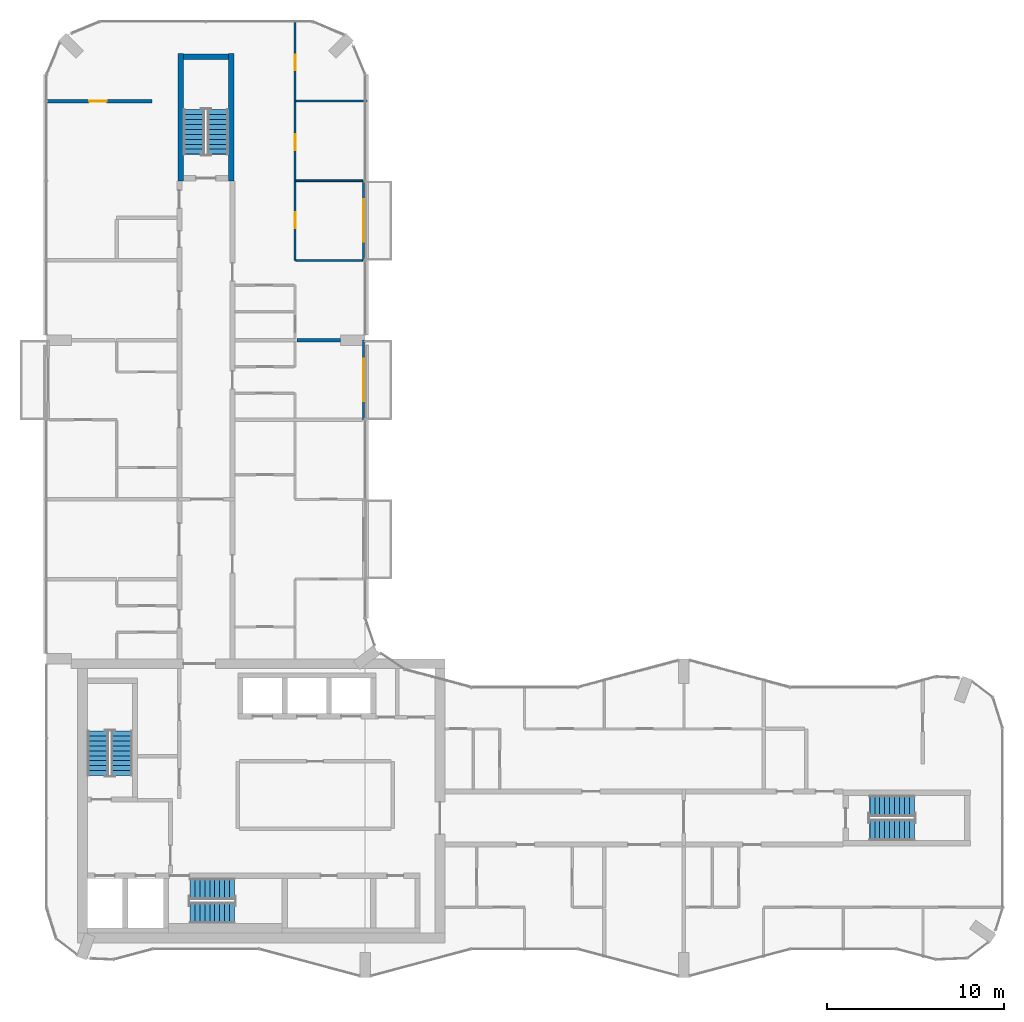
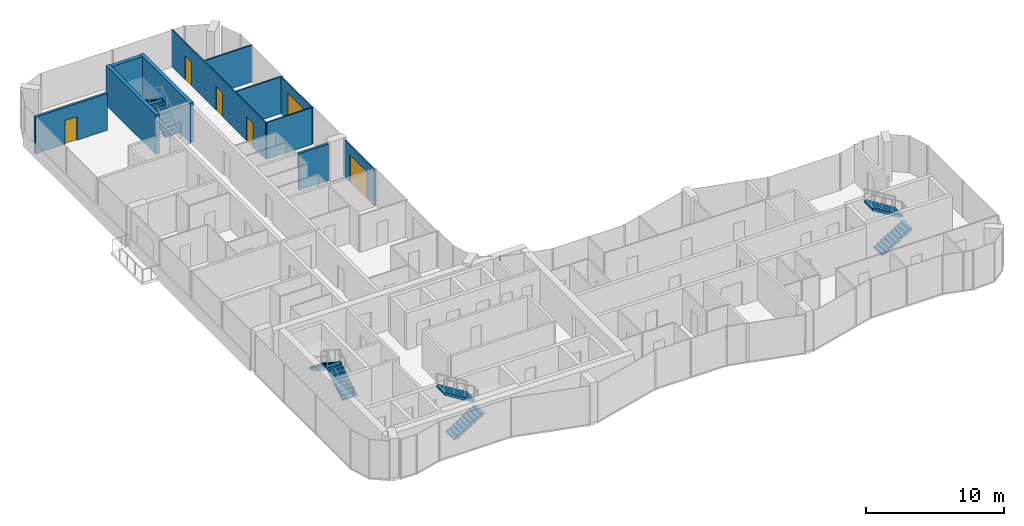
# One storey, part 13 of 15: 11 walls, 8 stair flights, 6 doors, 6 openings, 4 elements without a shape of their own.
"""IFC4 building model written with IfcOpenShell, lengths in metres."""

from ifc_helpers import new_model, si_unit, direction, frame, frame_2d, origin, place, context, subcontext, project, spatial, polyline, rectangle, outline, extrude, material, layer, layer_set, type_object, element, fill, aggregate, save


model = new_model("IFC4")

# Units and contexts
model_context = context("Model", 3, precision=1e-05, world=origin(), true_north=direction((0.0, 1.0)))
body_context = subcontext(model_context, "Body", "Model", "MODEL_VIEW")
ifc_project = project(units=[si_unit("LENGTHUNIT", "METRE"), si_unit("AREAUNIT", "SQUARE_METRE"), si_unit("VOLUMEUNIT", "CUBIC_METRE"), si_unit("PLANEANGLEUNIT", "RADIAN"), si_unit("MASSUNIT", "GRAM", prefix="KILO")], contexts=[model_context])

# Site, building, storey
site_placement = place(None, origin())
site = spatial("IfcSite", under=ifc_project, at=site_placement, CompositionType="ELEMENT")
building_placement = place(site_placement, origin())
building = spatial("IfcBuilding", under=site, at=building_placement, Name="Plateau Cross Towers", CompositionType="ELEMENT")
storey_placement = place(building_placement, frame((0.0, 0.0, 208.39990234375)))
storey = spatial("IfcBuildingStorey", under=building, at=storey_placement, Name="L54", CompositionType="ELEMENT", Elevation=208.39990234375)

# Wall, opening, door
ifc_material_1 = material(Name="Aluminium framed glazing", Category="aluminium")
ifc_layer_1 = layer(ifc_material_1, 0.10009765625)
ifc_layer_set_1 = layer_set([ifc_layer_1], Name="Aluminium framed glazing")
wall_type_1 = type_object("IfcWallType", Name="Balcony screen wall 100", PredefinedType="STANDARD", material=ifc_layer_set_1)
wall_1_placement = place(storey_placement, frame((17.89990234375, 36.0, 0.0), z_axis=(0.0, 0.0, 1.0), x_axis=(0.0, -1.0, 0.0)))
wall_1 = element("IfcWall", 1, at=wall_1_placement, inside=storey, type_object=wall_type_1, Name="Balcony screen wall A-BAL-L54-03", PredefinedType="STANDARD", context=body_context, shape_type="SweptSolid", body=[
    extrude(rectangle(XDim=4.5, YDim=0.10009765625, at=frame_2d((2.25, 0.0))), origin(), (0.0, 0.0, 1.0), 3.25),
])
opening_1_placement = place(wall_1_placement, frame((1.050048828125, 0.0, 0.0)))
opening_1 = element("IfcOpeningElement", 2, at=opening_1_placement, cuts=wall_1, Name="Opening D-B24", PredefinedType="OPENING", context=body_context, shape_type="SweptSolid", body=[
    extrude(rectangle(XDim=2.39990234375, YDim=2.39990234375, at=frame_2d((1.199951171875, 1.199951171875))), frame((0.0, 0.06005859375, 0.0), z_axis=(0.0, -1.0, 0.0), x_axis=(1.0, 0.0, 0.0)), (0.0, 0.0, 1.0), 0.1201171875),
])
ifc_material_2 = material(Name="Aluminium frame, double glazing", Category="aluminium")
door_type_1 = type_object("IfcDoorType", Name="Balcony sliding door 2400", OperationType="NOTDEFINED", PredefinedType="DOOR", material=ifc_material_2)
door_1_placement = place(opening_1_placement, origin())
door_1 = element("IfcDoor", 3, at=door_1_placement, inside=storey, type_object=door_type_1, Name="Balcony door A-BAL-L54-03", OperationType="SINGLE_SWING_LEFT", OverallHeight=2.39990234375, OverallWidth=2.39990234375, PredefinedType="DOOR", context=body_context, shape_type="SweptSolid", body=[
    extrude(rectangle(XDim=2.39990234375, YDim=2.39990234375, at=frame_2d((1.199951171875, 1.199951171875))), frame((0.0, 0.02490234375, 0.0), z_axis=(0.0, -1.0, 0.0), x_axis=(1.0, 0.0, 0.0)), (0.0, 0.0, 1.0), 0.050048828125),
])
fill(opening_1, door_1)

wall_2_placement = place(storey_placement, frame((17.89990234375, 45.0, 0.0), z_axis=(0.0, 0.0, 1.0), x_axis=(0.0, -1.0, 0.0)))
wall_2 = element("IfcWall", 4, at=wall_2_placement, inside=storey, type_object=wall_type_1, Name="Balcony screen wall A-BAL-L54-04", PredefinedType="STANDARD", context=body_context, shape_type="SweptSolid", body=[
    extrude(rectangle(XDim=4.5, YDim=0.10009765625, at=frame_2d((2.25, 0.0))), origin(), (0.0, 0.0, 1.0), 3.25),
])
opening_2_placement = place(wall_2_placement, frame((1.050048828125, 0.0, 0.0)))
opening_2 = element("IfcOpeningElement", 5, at=opening_2_placement, cuts=wall_2, Name="Opening D-B24", PredefinedType="OPENING", context=body_context, shape_type="SweptSolid", body=[
    extrude(rectangle(XDim=2.39990234375, YDim=2.39990234375, at=frame_2d((1.199951171875, 1.199951171875))), frame((0.0, 0.06005859375, 0.0), z_axis=(0.0, -1.0, 0.0), x_axis=(1.0, 0.0, 0.0)), (0.0, 0.0, 1.0), 0.1201171875),
])
door_2_placement = place(opening_2_placement, origin())
door_2 = element("IfcDoor", 6, at=door_2_placement, inside=storey, type_object=door_type_1, Name="Balcony door A-BAL-L54-04", OperationType="SINGLE_SWING_LEFT", OverallHeight=2.39990234375, OverallWidth=2.39990234375, PredefinedType="DOOR", context=body_context, shape_type="SweptSolid", body=[
    extrude(rectangle(XDim=2.39990234375, YDim=2.39990234375, at=frame_2d((1.199951171875, 1.199951171875))), frame((0.0, 0.02490234375, 0.0), z_axis=(0.0, -1.0, 0.0), x_axis=(1.0, 0.0, 0.0)), (0.0, 0.0, 1.0), 0.050048828125),
])
fill(opening_2, door_2)

# Walls
ifc_material_3 = material(Name="Gypsum board on steel studs", Category="steel")
ifc_layer_2 = layer(ifc_material_3, 0.10009765625)
ifc_layer_set_2 = layer_set([ifc_layer_2], Name="Gypsum board on steel studs")
wall_type_2 = type_object("IfcWallType", Name="Flat partition 100", PredefinedType="PARTITIONING", material=ifc_layer_set_2)
for number, where, z_axis, x_axis, name in (
    (7, (14.08740234375, 40.5, 0.0), (0.0, 0.0, 1.0), (1.0, 0.0, 0.0), "Partition wall"),
    (8, (17.85009765625, 45.0, 0.0), (0.0, 0.0, 1.0), (-1.0, 0.0, 0.0), "Partition wall"),
):
    element("IfcWall", number, at=place(storey_placement, frame(where, z_axis=z_axis, x_axis=x_axis)), inside=storey, type_object=wall_type_2, Name=name, PredefinedType="PARTITIONING", context=body_context, shape_type="SweptSolid", body=[
        extrude(rectangle(XDim=3.7626953125, YDim=0.10009765625, at=frame_2d((1.88134765625, 0.0))), origin(), (0.0, 0.0, 1.0), 3.25),
    ])
wall_3_placement = place(storey_placement, frame((18.080078125, 49.5, 0.0), z_axis=(0.0, 0.0, 1.0), x_axis=(-1.0, 0.0, 0.0)))
element("IfcWall", 9, at=wall_3_placement, inside=storey, type_object=wall_type_2, Name="Partition wall", PredefinedType="PARTITIONING", context=body_context, shape_type="SweptSolid", body=[
    extrude(rectangle(XDim=3.99267578125, YDim=0.10009765625, at=frame_2d((1.996337890625, 0.0))), origin(), (0.0, 0.0, 1.0), 3.25),
])

# Wall, openings, doors
wall_4_placement = place(storey_placement, frame((14.03759765625, 54.080078125, 0.0), z_axis=(0.0, 0.0, 1.0), x_axis=(0.0, -1.0, 0.0)))
wall_4 = element("IfcWall", 10, at=wall_4_placement, inside=storey, type_object=wall_type_2, Name="Partition wall", PredefinedType="PARTITIONING", context=body_context, shape_type="SweptSolid", body=[
    extrude(rectangle(XDim=13.580078125, YDim=0.10009765625, at=frame_2d((6.7900390625, 0.0))), origin(), (0.0, 0.0, 1.0), 3.25),
])
opening_3_placement = place(wall_4_placement, frame((10.85009765625, 0.0, 0.0)))
opening_3 = element("IfcOpeningElement", 11, at=opening_3_placement, cuts=wall_4, Name="Opening 54-46", PredefinedType="OPENING", context=body_context, shape_type="SweptSolid", body=[
    extrude(rectangle(XDim=0.89990234375, YDim=2.10009765625, at=frame_2d((0.449951171875, 1.050048828125))), frame((0.0, 0.06005859375, 0.0), z_axis=(0.0, -1.0, 0.0), x_axis=(1.0, 0.0, 0.0)), (0.0, 0.0, 1.0), 0.1201171875),
])
opening_4_placement = place(wall_4_placement, frame((6.449951171875, 0.0, 0.0)))
opening_4 = element("IfcOpeningElement", 12, at=opening_4_placement, cuts=wall_4, Name="Opening 54-47", PredefinedType="OPENING", context=body_context, shape_type="SweptSolid", body=[
    extrude(rectangle(XDim=0.89990234375, YDim=2.10009765625, at=frame_2d((0.449951171875, 1.050048828125))), frame((0.0, 0.06005859375, 0.0), z_axis=(0.0, -1.0, 0.0), x_axis=(1.0, 0.0, 0.0)), (0.0, 0.0, 1.0), 0.1201171875),
])
opening_5_placement = place(wall_4_placement, frame((1.949951171875, 0.0, 0.0)))
opening_5 = element("IfcOpeningElement", 13, at=opening_5_placement, cuts=wall_4, Name="Opening 54-48", PredefinedType="OPENING", context=body_context, shape_type="SweptSolid", body=[
    extrude(rectangle(XDim=0.89990234375, YDim=2.10009765625, at=frame_2d((0.449951171875, 1.050048828125))), frame((0.0, 0.06005859375, 0.0), z_axis=(0.0, -1.0, 0.0), x_axis=(1.0, 0.0, 0.0)), (0.0, 0.0, 1.0), 0.1201171875),
])
ifc_material_4 = material(Name="Timber leaf", Category="wood")
door_type_2 = type_object("IfcDoorType", Name="Flat room door 900", OperationType="NOTDEFINED", PredefinedType="DOOR", material=ifc_material_4)
door_3_placement = place(opening_3_placement, origin())
door_3 = element("IfcDoor", 14, at=door_3_placement, inside=storey, type_object=door_type_2, Name="Door 54-46", OperationType="SINGLE_SWING_RIGHT", OverallHeight=2.10009765625, OverallWidth=0.89990234375, PredefinedType="DOOR", context=body_context, shape_type="SweptSolid", body=[
    extrude(rectangle(XDim=0.89990234375, YDim=2.10009765625, at=frame_2d((0.449951171875, 1.050048828125))), frame((0.0, 0.02490234375, 0.0), z_axis=(0.0, -1.0, 0.0), x_axis=(1.0, 0.0, 0.0)), (0.0, 0.0, 1.0), 0.050048828125),
])
fill(opening_3, door_3)
door_4_placement = place(opening_4_placement, origin())
door_4 = element("IfcDoor", 15, at=door_4_placement, inside=storey, type_object=door_type_2, Name="Door 54-47", OperationType="SINGLE_SWING_RIGHT", OverallHeight=2.10009765625, OverallWidth=0.89990234375, PredefinedType="DOOR", context=body_context, shape_type="SweptSolid", body=[
    extrude(rectangle(XDim=0.89990234375, YDim=2.10009765625, at=frame_2d((0.449951171875, 1.050048828125))), frame((0.0, 0.02490234375, 0.0), z_axis=(0.0, -1.0, 0.0), x_axis=(1.0, 0.0, 0.0)), (0.0, 0.0, 1.0), 0.050048828125),
])
fill(opening_4, door_4)
door_5_placement = place(opening_5_placement, origin())
door_5 = element("IfcDoor", 16, at=door_5_placement, inside=storey, type_object=door_type_2, Name="Door 54-48", OperationType="SINGLE_SWING_LEFT", OverallHeight=2.10009765625, OverallWidth=0.89990234375, PredefinedType="DOOR", context=body_context, shape_type="SweptSolid", body=[
    extrude(rectangle(XDim=0.89990234375, YDim=2.10009765625, at=frame_2d((0.449951171875, 1.050048828125))), frame((0.0, 0.02490234375, 0.0), z_axis=(0.0, -1.0, 0.0), x_axis=(1.0, 0.0, 0.0)), (0.0, 0.0, 1.0), 0.050048828125),
])
fill(opening_5, door_5)

# Wall
ifc_material_5 = material(Name="Gypsum board on steel studs, two layers each side", Category="steel")
ifc_layer_3 = layer(ifc_material_5, 0.199951171875)
ifc_layer_set_3 = layer_set([ifc_layer_3], Name="Gypsum board on steel studs, two layers each side")
wall_type_3 = type_object("IfcWallType", Name="Flat party wall 200", PredefinedType="PARTITIONING", material=ifc_layer_set_3)
wall_5_placement = place(storey_placement, frame((14.137451171875, 36.0, 0.0), z_axis=(0.0, 0.0, 1.0), x_axis=(1.0, 0.0, 0.0)))
element("IfcWall", 17, at=wall_5_placement, inside=storey, type_object=wall_type_3, Name="Party wall", PredefinedType="PARTITIONING", context=body_context, shape_type="SweptSolid", body=[
    extrude(rectangle(XDim=2.462646484375, YDim=0.199951171875, at=frame_2d((1.2314453125, 0.0))), origin(), (0.0, 0.0, 1.0), 3.25),
])

# Wall, opening, door
wall_6_placement = place(storey_placement, frame((5.949951171875, 49.5, 0.0), z_axis=(0.0, 0.0, 1.0), x_axis=(-1.0, 0.0, 0.0)))
wall_6 = element("IfcWall", 18, at=wall_6_placement, inside=storey, type_object=wall_type_3, Name="Party wall", PredefinedType="PARTITIONING", context=body_context, shape_type="SweptSolid", body=[
    extrude(rectangle(XDim=6.030029296875, YDim=0.199951171875, at=frame_2d((3.01513671875, 0.0))), origin(), (0.0, 0.0, 1.0), 3.25),
])
opening_6_placement = place(wall_6_placement, frame((2.550048828125, 0.0, 0.0)))
opening_6 = element("IfcOpeningElement", 19, at=opening_6_placement, cuts=wall_6, Name="Opening 54-19", PredefinedType="OPENING", context=body_context, shape_type="SweptSolid", body=[
    extrude(rectangle(XDim=1.0, YDim=2.10009765625, at=frame_2d((0.5, 1.050048828125))), frame((0.0, 0.10986328125, 0.0), z_axis=(0.0, -1.0, 0.0), x_axis=(1.0, 0.0, 0.0)), (0.0, 0.0, 1.0), 0.219970703125),
])
ifc_material_6 = material(Name="Timber, fire-resisting leaf", Category="wood")
door_type_3 = type_object("IfcDoorType", Name="Flat entrance door 1000", OperationType="NOTDEFINED", PredefinedType="DOOR", material=ifc_material_6)
door_6_placement = place(opening_6_placement, origin())
door_6 = element("IfcDoor", 20, at=door_6_placement, inside=storey, type_object=door_type_3, Name="Door 54-19", OperationType="SINGLE_SWING_RIGHT", OverallHeight=2.10009765625, OverallWidth=1.0, PredefinedType="DOOR", context=body_context, shape_type="SweptSolid", body=[
    extrude(rectangle(XDim=1.0, YDim=2.10009765625, at=frame_2d((0.5, 1.050048828125))), frame((0.0, 0.02490234375, 0.0), z_axis=(0.0, -1.0, 0.0), x_axis=(1.0, 0.0, 0.0)), (0.0, 0.0, 1.0), 0.050048828125),
])
fill(opening_6, door_6)

# Walls
ifc_material_7 = material(Name="Concrete C60/75", Category="concrete")
ifc_layer_4 = layer(ifc_material_7, 0.300048828125)
ifc_layer_set_4 = layer_set([ifc_layer_4], Name="Concrete C60/75")
wall_type_4 = type_object("IfcWallType", Name="Stair tower wall 300", PredefinedType="SHEAR", material=ifc_layer_set_4)
wall_7_placement = place(storey_placement, frame((7.72509765625, 52.0, 0.0), z_axis=(0.0, 0.0, 1.0), x_axis=(1.0, 0.0, 0.0)))
element("IfcWall", 21, at=wall_7_placement, inside=storey, type_object=wall_type_4, Name="A-end-N-N@L54", PredefinedType="SHEAR", context=body_context, shape_type="SweptSolid", body=[
    extrude(rectangle(XDim=2.5498046875, YDim=0.300048828125, at=frame_2d((1.27490234375, 0.0))), origin(), (0.0, 0.0, 1.0), 3.5),
])
for number, where, z_axis, x_axis, name in (
    (22, (7.574951171875, 45.0, 0.0), (0.0, 0.0, 1.0), (0.0, 1.0, 0.0), "A-end-N-W@L54"),
    (23, (10.425048828125, 45.0, 0.0), (0.0, 0.0, 1.0), (0.0, 1.0, 0.0), "A-end-N-E@L54"),
):
    element("IfcWall", number, at=place(storey_placement, frame(where, z_axis=z_axis, x_axis=x_axis)), inside=storey, type_object=wall_type_4, Name=name, PredefinedType="SHEAR", context=body_context, shape_type="SweptSolid", body=[
        extrude(rectangle(XDim=7.199951171875, YDim=0.300048828125, at=frame_2d((3.60009765625, 0.0))), origin(), (0.0, 0.0, 1.0), 3.5),
    ])

# Stair, stair flights
ifc_material_8 = material(Name="Concrete C40/50", Category="concrete")
stair_type = type_object("IfcStairType", Name="ST-TWR", PredefinedType="HALF_TURN_STAIR", material=ifc_material_8)
stair_1_placement = place(storey_placement, origin())
stair_1 = element("IfcStair", 24, at=stair_1_placement, inside=storey, type_object=stair_type, Name="L54 Protected Exit Stair ST-1", PredefinedType="HALF_TURN_STAIR")
stair_flight_type = type_object("IfcStairFlightType", Name="SFL-RC", PredefinedType="STRAIGHT", material=ifc_material_8)
stair_flight_1_placement = place(storey_placement, frame((4.25, 11.39990234375, 0.0), z_axis=(0.0, 0.0, 1.0), x_axis=(0.0, 1.0, 0.0)))
stair_flight_1 = element("IfcStairFlight", 25, at=stair_flight_1_placement, type_object=stair_flight_type, Name="ST-1 flight 1", NumberOfRisers=10, NumberOfTreads=9, PredefinedType="STRAIGHT", RiserHeight=0.175, TreadLength=0.28, context=body_context, shape_type="SweptSolid", body=[
    extrude(outline(polyline([(-0.0048828125, -0.010009765625), (-0.0048828125, 0.0), (0.0, 0.0), (0.0, 0.175048828125), (0.280029296875, 0.175048828125), (0.280029296875, 0.35009765625), (0.56005859375, 0.35009765625), (0.56005859375, 0.52490234375), (0.840087890625, 0.52490234375), (0.840087890625, 0.699951171875), (1.1201171875, 0.699951171875), (1.1201171875, 0.875), (1.39990234375, 0.875), (1.39990234375, 1.050048828125), (1.679931640625, 1.050048828125), (1.679931640625, 1.22509765625), (1.9599609375, 1.22509765625), (1.9599609375, 1.39990234375), (2.239990234375, 1.39990234375), (2.239990234375, 1.574951171875), (2.52001953125, 1.574951171875), (2.52490234375, 1.56494140625), (2.52490234375, 1.398193359375), (2.52001953125, 1.398193359375), (0.28271484375, 0.0), (0.02001953125, 0.0), (0.02001953125, -0.010009765625), (-0.0048828125, -0.010009765625)])), frame((0.0, 0.60009765625, 0.0), z_axis=(0.0, -1.0, 0.0), x_axis=(1.0, 0.0, 0.0)), (0.0, 0.0, 1.0), 1.199951171875),
])
stair_flight_2_placement = place(storey_placement, frame((2.89990234375, 13.919921875, 1.75), z_axis=(0.0, 0.0, 1.0), x_axis=(0.0, -1.0, 0.0)))
stair_flight_2 = element("IfcStairFlight", 26, at=stair_flight_2_placement, type_object=stair_flight_type, Name="ST-1 flight 2", NumberOfRisers=10, NumberOfTreads=9, PredefinedType="STRAIGHT", RiserHeight=0.175, TreadLength=0.28, context=body_context, shape_type="SweptSolid", body=[
    extrude(outline(polyline([(-0.0048828125, -0.010009765625), (-0.0048828125, 0.0), (0.0, 0.0), (0.0, 0.175048828125), (0.280029296875, 0.175048828125), (0.280029296875, 0.35009765625), (0.56005859375, 0.35009765625), (0.56005859375, 0.52490234375), (0.840087890625, 0.52490234375), (0.840087890625, 0.699951171875), (1.1201171875, 0.699951171875), (1.1201171875, 0.875), (1.39990234375, 0.875), (1.39990234375, 1.050048828125), (1.679931640625, 1.050048828125), (1.679931640625, 1.22509765625), (1.9599609375, 1.22509765625), (1.9599609375, 1.39990234375), (2.239990234375, 1.39990234375), (2.239990234375, 1.574951171875), (2.52001953125, 1.574951171875), (2.52490234375, 1.56494140625), (2.52490234375, 1.398193359375), (2.52001953125, 1.398193359375), (0.28271484375, 0.0), (0.02001953125, 0.0), (0.02001953125, -0.010009765625), (-0.0048828125, -0.010009765625)])), frame((0.0, 0.60009765625, 0.0), z_axis=(0.0, -1.0, 0.0), x_axis=(1.0, 0.0, 0.0)), (0.0, 0.0, 1.0), 1.199951171875),
])
aggregate(stair_1, [stair_flight_1, stair_flight_2])

stair_2_placement = place(storey_placement, origin())
stair_2 = element("IfcStair", 27, at=stair_2_placement, inside=storey, type_object=stair_type, Name="L54 Protected Exit Stair ST-2", PredefinedType="HALF_TURN_STAIR")
stair_flight_3_placement = place(storey_placement, frame((8.10009765625, 3.64990234375, 0.0), z_axis=(0.0, 0.0, 1.0), x_axis=(1.0, 0.0, 0.0)))
stair_flight_3 = element("IfcStairFlight", 28, at=stair_flight_3_placement, type_object=stair_flight_type, Name="ST-2 flight 1", NumberOfRisers=10, NumberOfTreads=9, PredefinedType="STRAIGHT", RiserHeight=0.175, TreadLength=0.28, context=body_context, shape_type="SweptSolid", body=[
    extrude(outline(polyline([(-0.0048828125, -0.010009765625), (-0.0048828125, 0.0), (0.0, 0.0), (0.0, 0.175048828125), (0.280029296875, 0.175048828125), (0.280029296875, 0.35009765625), (0.56005859375, 0.35009765625), (0.56005859375, 0.52490234375), (0.840087890625, 0.52490234375), (0.840087890625, 0.699951171875), (1.1201171875, 0.699951171875), (1.1201171875, 0.875), (1.39990234375, 0.875), (1.39990234375, 1.050048828125), (1.679931640625, 1.050048828125), (1.679931640625, 1.22509765625), (1.9599609375, 1.22509765625), (1.9599609375, 1.39990234375), (2.239990234375, 1.39990234375), (2.239990234375, 1.574951171875), (2.52001953125, 1.574951171875), (2.52490234375, 1.56494140625), (2.52490234375, 1.398193359375), (2.52001953125, 1.398193359375), (0.28271484375, 0.0), (0.02001953125, 0.0), (0.02001953125, -0.010009765625), (-0.0048828125, -0.010009765625)])), frame((0.0, 0.60009765625, 0.0), z_axis=(0.0, -1.0, 0.0), x_axis=(1.0, 0.0, 0.0)), (0.0, 0.0, 1.0), 1.199951171875),
])
stair_flight_4_placement = place(storey_placement, frame((10.6201171875, 5.0, 1.75), z_axis=(0.0, 0.0, 1.0), x_axis=(-1.0, 0.0, 0.0)))
stair_flight_4 = element("IfcStairFlight", 29, at=stair_flight_4_placement, type_object=stair_flight_type, Name="ST-2 flight 2", NumberOfRisers=10, NumberOfTreads=9, PredefinedType="STRAIGHT", RiserHeight=0.175, TreadLength=0.28, context=body_context, shape_type="SweptSolid", body=[
    extrude(outline(polyline([(-0.0048828125, -0.010009765625), (-0.0048828125, 0.0), (0.0, 0.0), (0.0, 0.175048828125), (0.280029296875, 0.175048828125), (0.280029296875, 0.35009765625), (0.56005859375, 0.35009765625), (0.56005859375, 0.52490234375), (0.840087890625, 0.52490234375), (0.840087890625, 0.699951171875), (1.1201171875, 0.699951171875), (1.1201171875, 0.875), (1.39990234375, 0.875), (1.39990234375, 1.050048828125), (1.679931640625, 1.050048828125), (1.679931640625, 1.22509765625), (1.9599609375, 1.22509765625), (1.9599609375, 1.39990234375), (2.239990234375, 1.39990234375), (2.239990234375, 1.574951171875), (2.52001953125, 1.574951171875), (2.52490234375, 1.56494140625), (2.52490234375, 1.398193359375), (2.52001953125, 1.398193359375), (0.28271484375, 0.0), (0.02001953125, 0.0), (0.02001953125, -0.010009765625), (-0.0048828125, -0.010009765625)])), frame((0.0, 0.60009765625, 0.0), z_axis=(0.0, -1.0, 0.0), x_axis=(1.0, 0.0, 0.0)), (0.0, 0.0, 1.0), 1.199951171875),
])
aggregate(stair_2, [stair_flight_3, stair_flight_4])

stair_3_placement = place(storey_placement, origin())
stair_3 = element("IfcStair", 30, at=stair_3_placement, inside=storey, type_object=stair_type, Name="L54 Protected Exit Stair E", PredefinedType="HALF_TURN_STAIR")
stair_flight_5_placement = place(storey_placement, frame((46.5, 8.324951171875, 0.0), z_axis=(0.0, 0.0, 1.0), x_axis=(1.0, 0.0, 0.0)))
stair_flight_5 = element("IfcStairFlight", 31, at=stair_flight_5_placement, type_object=stair_flight_type, Name="ES-E flight 1", NumberOfRisers=10, NumberOfTreads=9, PredefinedType="STRAIGHT", RiserHeight=0.175, TreadLength=0.28, context=body_context, shape_type="SweptSolid", body=[
    extrude(outline(polyline([(-0.0048828125, -0.010009765625), (-0.0048828125, 0.0), (0.0, 0.0), (0.0, 0.175048828125), (0.280029296875, 0.175048828125), (0.280029296875, 0.35009765625), (0.56005859375, 0.35009765625), (0.56005859375, 0.52490234375), (0.840087890625, 0.52490234375), (0.840087890625, 0.699951171875), (1.1201171875, 0.699951171875), (1.1201171875, 0.875), (1.39990234375, 0.875), (1.39990234375, 1.050048828125), (1.679931640625, 1.050048828125), (1.679931640625, 1.22509765625), (1.9599609375, 1.22509765625), (1.9599609375, 1.39990234375), (2.239990234375, 1.39990234375), (2.239990234375, 1.574951171875), (2.52001953125, 1.574951171875), (2.52490234375, 1.56494140625), (2.52490234375, 1.398193359375), (2.52001953125, 1.398193359375), (0.28271484375, 0.0), (0.02001953125, 0.0), (0.02001953125, -0.010009765625), (-0.0048828125, -0.010009765625)])), frame((0.0, 0.60009765625, 0.0), z_axis=(0.0, -1.0, 0.0), x_axis=(1.0, 0.0, 0.0)), (0.0, 0.0, 1.0), 1.199951171875),
])
stair_flight_6_placement = place(storey_placement, frame((49.02001953125, 9.675048828125, 1.75), z_axis=(0.0, 0.0, 1.0), x_axis=(-1.0, 0.0, 0.0)))
stair_flight_6 = element("IfcStairFlight", 32, at=stair_flight_6_placement, type_object=stair_flight_type, Name="ES-E flight 2", NumberOfRisers=10, NumberOfTreads=9, PredefinedType="STRAIGHT", RiserHeight=0.175, TreadLength=0.28, context=body_context, shape_type="SweptSolid", body=[
    extrude(outline(polyline([(-0.0048828125, -0.010009765625), (-0.0048828125, 0.0), (0.0, 0.0), (0.0, 0.175048828125), (0.280029296875, 0.175048828125), (0.280029296875, 0.35009765625), (0.56005859375, 0.35009765625), (0.56005859375, 0.52490234375), (0.840087890625, 0.52490234375), (0.840087890625, 0.699951171875), (1.1201171875, 0.699951171875), (1.1201171875, 0.875), (1.39990234375, 0.875), (1.39990234375, 1.050048828125), (1.679931640625, 1.050048828125), (1.679931640625, 1.22509765625), (1.9599609375, 1.22509765625), (1.9599609375, 1.39990234375), (2.239990234375, 1.39990234375), (2.239990234375, 1.574951171875), (2.52001953125, 1.574951171875), (2.52490234375, 1.56494140625), (2.52490234375, 1.398193359375), (2.52001953125, 1.398193359375), (0.28271484375, 0.0), (0.02001953125, 0.0), (0.02001953125, -0.010009765625), (-0.0048828125, -0.010009765625)])), frame((0.0, 0.60009765625, 0.0), z_axis=(0.0, -1.0, 0.0), x_axis=(1.0, 0.0, 0.0)), (0.0, 0.0, 1.0), 1.199951171875),
])
aggregate(stair_3, [stair_flight_5, stair_flight_6])

stair_4_placement = place(storey_placement, origin())
stair_4 = element("IfcStair", 33, at=stair_4_placement, inside=storey, type_object=stair_type, Name="L54 Protected Exit Stair N", PredefinedType="HALF_TURN_STAIR")
stair_flight_7_placement = place(storey_placement, frame((9.675048828125, 46.5, 0.0), z_axis=(0.0, 0.0, 1.0), x_axis=(0.0, 1.0, 0.0)))
stair_flight_7 = element("IfcStairFlight", 34, at=stair_flight_7_placement, type_object=stair_flight_type, Name="ES-N flight 1", NumberOfRisers=10, NumberOfTreads=9, PredefinedType="STRAIGHT", RiserHeight=0.175, TreadLength=0.28, context=body_context, shape_type="SweptSolid", body=[
    extrude(outline(polyline([(-0.0048828125, -0.010009765625), (-0.0048828125, 0.0), (0.0, 0.0), (0.0, 0.175048828125), (0.280029296875, 0.175048828125), (0.280029296875, 0.35009765625), (0.56005859375, 0.35009765625), (0.56005859375, 0.52490234375), (0.840087890625, 0.52490234375), (0.840087890625, 0.699951171875), (1.1201171875, 0.699951171875), (1.1201171875, 0.875), (1.39990234375, 0.875), (1.39990234375, 1.050048828125), (1.679931640625, 1.050048828125), (1.679931640625, 1.22509765625), (1.9599609375, 1.22509765625), (1.9599609375, 1.39990234375), (2.239990234375, 1.39990234375), (2.239990234375, 1.574951171875), (2.52001953125, 1.574951171875), (2.52490234375, 1.56494140625), (2.52490234375, 1.398193359375), (2.52001953125, 1.398193359375), (0.28271484375, 0.0), (0.02001953125, 0.0), (0.02001953125, -0.010009765625), (-0.0048828125, -0.010009765625)])), frame((0.0, 0.60009765625, 0.0), z_axis=(0.0, -1.0, 0.0), x_axis=(1.0, 0.0, 0.0)), (0.0, 0.0, 1.0), 1.199951171875),
])
stair_flight_8_placement = place(storey_placement, frame((8.324951171875, 49.02001953125, 1.75), z_axis=(0.0, 0.0, 1.0), x_axis=(0.0, -1.0, 0.0)))
stair_flight_8 = element("IfcStairFlight", 35, at=stair_flight_8_placement, type_object=stair_flight_type, Name="ES-N flight 2", NumberOfRisers=10, NumberOfTreads=9, PredefinedType="STRAIGHT", RiserHeight=0.175, TreadLength=0.28, context=body_context, shape_type="SweptSolid", body=[
    extrude(outline(polyline([(-0.0048828125, -0.010009765625), (-0.0048828125, 0.0), (0.0, 0.0), (0.0, 0.175048828125), (0.280029296875, 0.175048828125), (0.280029296875, 0.35009765625), (0.56005859375, 0.35009765625), (0.56005859375, 0.52490234375), (0.840087890625, 0.52490234375), (0.840087890625, 0.699951171875), (1.1201171875, 0.699951171875), (1.1201171875, 0.875), (1.39990234375, 0.875), (1.39990234375, 1.050048828125), (1.679931640625, 1.050048828125), (1.679931640625, 1.22509765625), (1.9599609375, 1.22509765625), (1.9599609375, 1.39990234375), (2.239990234375, 1.39990234375), (2.239990234375, 1.574951171875), (2.52001953125, 1.574951171875), (2.52490234375, 1.56494140625), (2.52490234375, 1.398193359375), (2.52001953125, 1.398193359375), (0.28271484375, 0.0), (0.02001953125, 0.0), (0.02001953125, -0.010009765625), (-0.0048828125, -0.010009765625)])), frame((0.0, 0.60009765625, 0.0), z_axis=(0.0, -1.0, 0.0), x_axis=(1.0, 0.0, 0.0)), (0.0, 0.0, 1.0), 1.199951171875),
])
aggregate(stair_4, [stair_flight_7, stair_flight_8])

save(model, "model.ifc")
